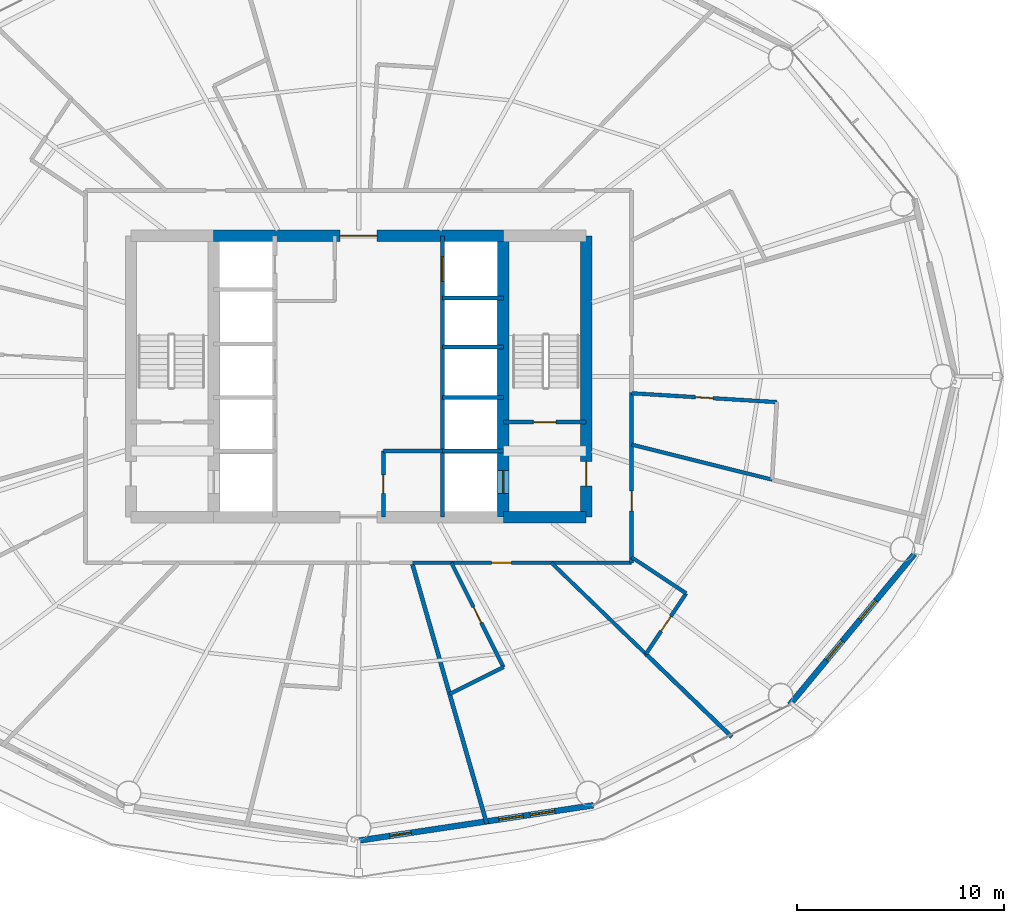
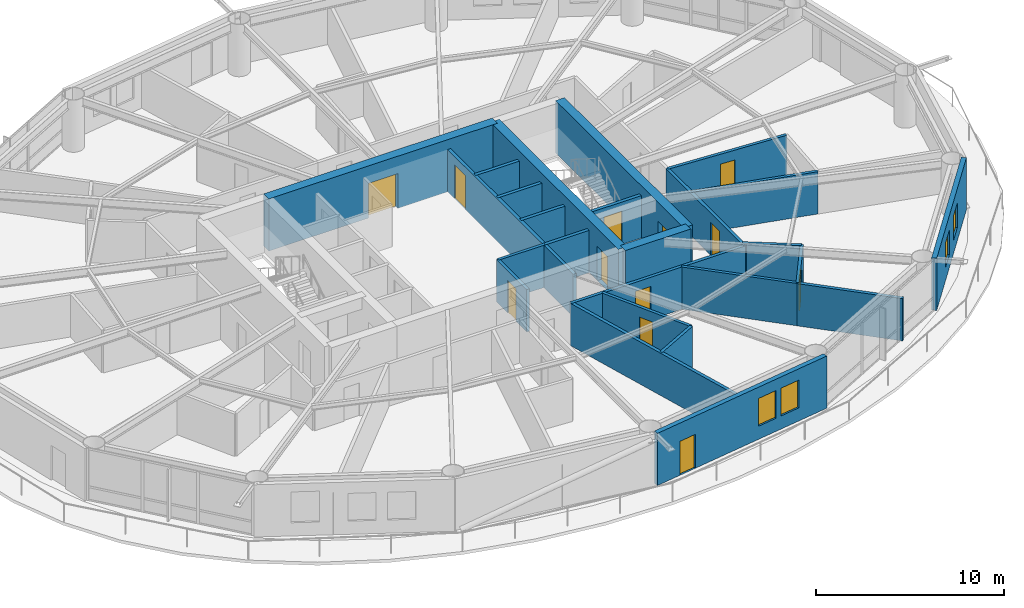
# One storey, part 19 of 24: 26 walls, 12 doors, 4 windows, 16 openings.
"""IFC4 building model written with IfcOpenShell, lengths in metres."""

from ifc_helpers import new_model, si_unit, direction, frame, frame_2d, origin, place, context, subcontext, project, spatial, rectangle, extrude, material, layer, layer_set, type_object, element, fill, save


model = new_model("IFC4")

# Units and contexts
model_context = context("Model", 3, precision=1e-05, world=origin(), true_north=direction((0.0, 1.0)))
body_context = subcontext(model_context, "Body", "Model", "MODEL_VIEW")
ifc_project = project(units=[si_unit("LENGTHUNIT", "METRE"), si_unit("AREAUNIT", "SQUARE_METRE"), si_unit("VOLUMEUNIT", "CUBIC_METRE"), si_unit("PLANEANGLEUNIT", "RADIAN"), si_unit("MASSUNIT", "GRAM", prefix="KILO")], contexts=[model_context])

# Site, building, storey
site_placement = place(None, origin())
site = spatial("IfcSite", under=ifc_project, at=site_placement, CompositionType="ELEMENT")
building_placement = place(site_placement, origin())
building = spatial("IfcBuilding", under=site, at=building_placement, Name="Sarneth Arch Tower", CompositionType="ELEMENT")
storey_placement = place(building_placement, frame((0.0, 0.0, 98.39990234375)))
storey = spatial("IfcBuildingStorey", under=building, at=storey_placement, Name="L24", CompositionType="ELEMENT", Elevation=98.39990234375)

# Wall
ifc_material_1 = material(Name="Concrete C60/75", Category="concrete")
ifc_layer_1 = layer(ifc_material_1, 0.550048828125)
ifc_layer_set_1 = layer_set([ifc_layer_1], Name="Concrete C60/75")
wall_type_1 = type_object("IfcWallType", Name="WALL-CORE-550", PredefinedType="SHEAR", material=ifc_layer_set_1)
wall_1_placement = place(storey_placement, frame((55.0, 35.199951171875, 0.0), z_axis=(0.0, 0.0, 1.0), x_axis=(1.0, 0.0, 0.0)))
element("IfcWall", 1, at=wall_1_placement, inside=storey, type_object=wall_type_1, Name="L24 Core shear wall S-E", PredefinedType="SHEAR", context=body_context, shape_type="SweptSolid", body=[
    extrude(rectangle(XDim=4.0, YDim=0.550048828125, at=frame_2d((2.0, 0.0))), origin(), (0.0, 0.0, 1.0), 3.380126953125),
])

# Wall, opening, door
wall_2_placement = place(storey_placement, frame((41.0, 48.800048828125, 0.0), z_axis=(0.0, 0.0, 1.0), x_axis=(1.0, 0.0, 0.0)))
wall_2 = element("IfcWall", 2, at=wall_2_placement, inside=storey, type_object=wall_type_1, Name="L24 Core shear wall N-M", PredefinedType="SHEAR", context=body_context, shape_type="SweptSolid", body=[
    extrude(rectangle(XDim=14.0, YDim=0.550048828125, at=frame_2d((7.0, 0.0))), origin(), (0.0, 0.0, 1.0), 3.380126953125),
])
opening_1_placement = place(wall_2_placement, frame((6.10009765625, 0.0, 0.0)))
opening_1 = element("IfcOpeningElement", 3, at=opening_1_placement, cuts=wall_2, Name="Opening FD-01", PredefinedType="OPENING", context=body_context, shape_type="SweptSolid", body=[
    extrude(rectangle(XDim=1.800048828125, YDim=2.25, at=frame_2d((0.89990234375, 1.125))), frame((0.0, 0.284912109375, 0.0), z_axis=(0.0, -1.0, 0.0), x_axis=(1.0, 0.0, 0.0)), (0.0, 0.0, 1.0), 0.570068359375),
])
ifc_material_2 = material(Name="Galvanised Steel S275 fire door set", Category="steel")
door_type_1 = type_object("IfcDoorType", Name="DR-FD90-1800", OperationType="DOUBLE_DOOR_SINGLE_SWING", PredefinedType="DOOR", material=ifc_material_2)
door_1_placement = place(opening_1_placement, origin())
door_1 = element("IfcDoor", 4, at=door_1_placement, inside=storey, type_object=door_type_1, Name="L24 Central lift lobby north door", OperationType="DOUBLE_DOOR_SINGLE_SWING", OverallHeight=2.25, OverallWidth=1.800048828125, PredefinedType="DOOR", context=body_context, shape_type="SweptSolid", body=[
    extrude(rectangle(XDim=1.800048828125, YDim=2.25, at=frame_2d((0.89990234375, 1.125))), frame((0.0, 0.02490234375, 0.0), z_axis=(0.0, -1.0, 0.0), x_axis=(1.0, 0.0, 0.0)), (0.0, 0.0, 1.0), 0.050048828125),
])
fill(opening_1, door_1)

wall_3_placement = place(storey_placement, frame((59.0, 35.199951171875, 0.0), z_axis=(0.0, 0.0, 1.0), x_axis=(0.0, 1.0, 0.0)))
wall_3 = element("IfcWall", 5, at=wall_3_placement, inside=storey, type_object=wall_type_1, Name="L24 Core shear wall E", PredefinedType="SHEAR", context=body_context, shape_type="SweptSolid", body=[
    extrude(rectangle(XDim=13.60009765625, YDim=0.550048828125, at=frame_2d((6.800048828125, 0.0))), origin(), (0.0, 0.0, 1.0), 3.380126953125),
])
opening_2_placement = place(wall_3_placement, frame((1.5, 0.0, 0.0)))
opening_2 = element("IfcOpeningElement", 6, at=opening_2_placement, cuts=wall_3, Name="Opening FD-02", PredefinedType="OPENING", context=body_context, shape_type="SweptSolid", body=[
    extrude(rectangle(XDim=1.199951171875, YDim=2.14990234375, at=frame_2d((0.60009765625, 1.074951171875))), frame((0.0, 0.284912109375, 0.0), z_axis=(0.0, -1.0, 0.0), x_axis=(1.0, 0.0, 0.0)), (0.0, 0.0, 1.0), 0.570068359375),
])
ifc_material_3 = material(Name="Galvanised Steel S275 fire door set", Category="steel")
door_type_2 = type_object("IfcDoorType", Name="DR-FD90-1200", OperationType="SINGLE_SWING_LEFT", PredefinedType="DOOR", material=ifc_material_3)
door_2_placement = place(opening_2_placement, origin())
door_2 = element("IfcDoor", 7, at=door_2_placement, inside=storey, type_object=door_type_2, Name="L24 Firefighting lobby 2 exit door", OperationType="SINGLE_SWING_RIGHT", OverallHeight=2.14990234375, OverallWidth=1.199951171875, PredefinedType="DOOR", context=body_context, shape_type="SweptSolid", body=[
    extrude(rectangle(XDim=1.199951171875, YDim=2.14990234375, at=frame_2d((0.60009765625, 1.074951171875))), frame((0.0, 0.02490234375, 0.0), z_axis=(0.0, -1.0, 0.0), x_axis=(1.0, 0.0, 0.0)), (0.0, 0.0, 1.0), 0.050048828125),
])
fill(opening_2, door_2)

wall_4_placement = place(storey_placement, frame((55.0, 35.199951171875, 0.0), z_axis=(0.0, 0.0, 1.0), x_axis=(0.0, 1.0, 0.0)))
wall_4 = element("IfcWall", 8, at=wall_4_placement, inside=storey, type_object=wall_type_1, Name="L24 Core shear wall WEB-E", PredefinedType="SHEAR", context=body_context, shape_type="SweptSolid", body=[
    extrude(rectangle(XDim=13.60009765625, YDim=0.550048828125, at=frame_2d((6.800048828125, 0.0))), origin(), (0.0, 0.0, 1.0), 3.380126953125),
])
opening_3_placement = place(wall_4_placement, frame((1.14990234375, 0.0, 0.0)))
opening_3 = element("IfcOpeningElement", 9, at=opening_3_placement, cuts=wall_4, Name="Opening LD-1", PredefinedType="OPENING", context=body_context, shape_type="SweptSolid", body=[
    extrude(rectangle(XDim=1.10009765625, YDim=2.199951171875, at=frame_2d((0.550048828125, 1.10009765625))), frame((0.0, 0.284912109375, 0.0), z_axis=(0.0, -1.0, 0.0), x_axis=(1.0, 0.0, 0.0)), (0.0, 0.0, 1.0), 0.570068359375),
])
ifc_material_4 = material(Name="Brushed Stainless Steel 304 lift landing door", Category="steel")
door_type_3 = type_object("IfcDoorType", Name="DR-LIFT-SLIDE-1100", OperationType="SLIDING_TO_LEFT", PredefinedType="DOOR", material=ifc_material_4)
door_3_placement = place(opening_3_placement, origin())
door_3 = element("IfcDoor", 10, at=door_3_placement, inside=storey, type_object=door_type_3, Name="L24 Firefighting lift landing door FL-2", OperationType="SLIDING_TO_RIGHT", OverallHeight=2.199951171875, OverallWidth=1.10009765625, PredefinedType="DOOR", context=body_context, shape_type="SweptSolid", body=[
    extrude(rectangle(XDim=1.10009765625, YDim=2.199951171875, at=frame_2d((0.550048828125, 1.10009765625))), frame((0.0, 0.02490234375, 0.0), z_axis=(0.0, -1.0, 0.0), x_axis=(1.0, 0.0, 0.0)), (0.0, 0.0, 1.0), 0.050048828125),
])
fill(opening_3, door_3)

ifc_material_5 = material(Name="Double steel-stud corridor fire wall", Category="steel")
ifc_layer_2 = layer(ifc_material_5, 0.18994140625)
ifc_layer_set_2 = layer_set([ifc_layer_2], Name="Double steel-stud corridor fire wall")
wall_type_2 = type_object("IfcWallType", Name="WALL-CORR-190", PredefinedType="PARTITIONING", material=ifc_layer_set_2)
wall_5_placement = place(storey_placement, frame((61.199951171875, 41.224853515625, 0.0), z_axis=(0.0, 0.0, 1.0), x_axis=(0.0, -1.0, 0.0)))
wall_5 = element("IfcWall", 11, at=wall_5_placement, inside=storey, type_object=wall_type_2, Name="L24 Interior partition W-L24-TP-022", PredefinedType="PARTITIONING", context=body_context, shape_type="SweptSolid", body=[
    extrude(rectangle(XDim=8.224853515625, YDim=0.18994140625, at=frame_2d((4.1123046875, 0.0))), origin(), (0.0, 0.0, 1.0), 2.739990234375),
])
opening_4_placement = place(wall_5_placement, frame((4.7666015625, 0.0, 0.0)))
opening_4 = element("IfcOpeningElement", 12, at=opening_4_placement, cuts=wall_5, Name="Opening FD-09", PredefinedType="OPENING", context=body_context, shape_type="SweptSolid", body=[
    extrude(rectangle(XDim=0.949951171875, YDim=2.14990234375, at=frame_2d((0.47509765625, 1.074951171875))), frame((0.0, 0.10498046875, 0.0), z_axis=(0.0, -1.0, 0.0), x_axis=(1.0, 0.0, 0.0)), (0.0, 0.0, 1.0), 0.2099609375),
])
ifc_material_6 = material(Name="Hardwood timber hotel entrance fire door", Category="wood")
door_type_4 = type_object("IfcDoorType", Name="DR-FD60-950", OperationType="SINGLE_SWING_RIGHT", PredefinedType="DOOR", material=ifc_material_6)
door_4_placement = place(opening_4_placement, origin())
door_4 = element("IfcDoor", 13, at=door_4_placement, inside=storey, type_object=door_type_4, Name="L24 Interior door DR-L24-KEY-11", OperationType="SINGLE_SWING_RIGHT", OverallHeight=2.14990234375, OverallWidth=0.949951171875, PredefinedType="DOOR", context=body_context, shape_type="SweptSolid", body=[
    extrude(rectangle(XDim=0.949951171875, YDim=2.14990234375, at=frame_2d((0.47509765625, 1.074951171875))), frame((0.0, 0.02490234375, 0.0), z_axis=(0.0, -1.0, 0.0), x_axis=(1.0, 0.0, 0.0)), (0.0, 0.0, 1.0), 0.050048828125),
])
fill(opening_4, door_4)

wall_6_placement = place(storey_placement, frame((61.199951171875, 33.0, 0.0), z_axis=(0.0, 0.0, 1.0), x_axis=(-1.0, 0.0, 0.0)))
wall_6 = element("IfcWall", 14, at=wall_6_placement, inside=storey, type_object=wall_type_2, Name="L24 Interior partition W-L24-TP-020", PredefinedType="PARTITIONING", context=body_context, shape_type="SweptSolid", body=[
    extrude(rectangle(XDim=10.652587890625, YDim=0.18994140625, at=frame_2d((5.326171875, 0.0))), origin(), (0.0, 0.0, 1.0), 2.739990234375),
])
opening_5_placement = place(wall_6_placement, frame((5.81640625, 0.0, 0.0)))
opening_5 = element("IfcOpeningElement", 15, at=opening_5_placement, cuts=wall_6, Name="Opening FD-09", PredefinedType="OPENING", context=body_context, shape_type="SweptSolid", body=[
    extrude(rectangle(XDim=0.949951171875, YDim=2.14990234375, at=frame_2d((0.47509765625, 1.074951171875))), frame((0.0, 0.10498046875, 0.0), z_axis=(0.0, -1.0, 0.0), x_axis=(1.0, 0.0, 0.0)), (0.0, 0.0, 1.0), 0.2099609375),
])
door_5_placement = place(opening_5_placement, origin())
door_5 = element("IfcDoor", 16, at=door_5_placement, inside=storey, type_object=door_type_4, Name="L24 Interior door DR-L24-KEY-10", OperationType="SINGLE_SWING_RIGHT", OverallHeight=2.14990234375, OverallWidth=0.949951171875, PredefinedType="DOOR", context=body_context, shape_type="SweptSolid", body=[
    extrude(rectangle(XDim=0.949951171875, YDim=2.14990234375, at=frame_2d((0.47509765625, 1.074951171875))), frame((0.0, 0.02490234375, 0.0), z_axis=(0.0, -1.0, 0.0), x_axis=(1.0, 0.0, 0.0)), (0.0, 0.0, 1.0), 0.050048828125),
])
fill(opening_5, door_5)

# Wall, openings, door, windows
ifc_material_7 = material(Name="Extruded terracotta rainscreen on Concrete C40/50 backing", Category="masonry")
ifc_layer_3 = layer(ifc_material_7, 0.280029296875)
ifc_layer_set_3 = layer_set([ifc_layer_3], Name="Extruded terracotta rainscreen on Concrete C40/50 backing")
wall_type_3 = type_object("IfcWallType", Name="WALL-EXT-TERRA-280", PredefinedType="SOLIDWALL", material=ifc_layer_set_3)
wall_7_placement = place(storey_placement, frame((48.0, 19.570068359375, 0.0), z_axis=(0.0, 0.0, 1.0), x_axis=(0.988877774656, 0.148730450117, 0.0)))
wall_7 = element("IfcWall", 17, at=wall_7_placement, inside=storey, type_object=wall_type_3, Name="L24 Terracotta perimeter wall 13", PredefinedType="SOLIDWALL", context=body_context, shape_type="SweptSolid", body=[
    extrude(rectangle(XDim=11.47900390625, YDim=0.280029296875, at=frame_2d((5.739501953125, 0.0))), origin(), (0.0, 0.0, 1.0), 3.380126953125),
])
opening_6_placement = place(wall_7_placement, frame((1.523681640625, 0.0, 0.0)))
opening_6 = element("IfcOpeningElement", 18, at=opening_6_placement, cuts=wall_7, Name="Opening BD-4", PredefinedType="OPENING", context=body_context, shape_type="SweptSolid", body=[
    extrude(rectangle(XDim=1.050048828125, YDim=2.199951171875, at=frame_2d((0.52490234375, 1.10009765625))), frame((0.0, 0.14990234375, 0.0), z_axis=(0.0, -1.0, 0.0), x_axis=(1.0, 0.0, 0.0)), (0.0, 0.0, 1.0), 0.300048828125),
])
opening_7_placement = place(wall_7_placement, frame((6.843017578125, 0.0, 0.85009765625)))
opening_7 = element("IfcOpeningElement", 19, at=opening_7_placement, cuts=wall_7, Name="Opening W-09", PredefinedType="OPENING", context=body_context, shape_type="SweptSolid", body=[
    extrude(rectangle(XDim=1.199951171875, YDim=1.800048828125, at=frame_2d((0.60009765625, 0.89990234375))), frame((0.0, 0.14990234375, 0.0), z_axis=(0.0, -1.0, 0.0), x_axis=(1.0, 0.0, 0.0)), (0.0, 0.0, 1.0), 0.300048828125),
])
opening_8_placement = place(wall_7_placement, frame((8.385009765625, 0.0, 0.85009765625)))
opening_8 = element("IfcOpeningElement", 20, at=opening_8_placement, cuts=wall_7, Name="Opening W-09", PredefinedType="OPENING", context=body_context, shape_type="SweptSolid", body=[
    extrude(rectangle(XDim=1.199951171875, YDim=1.800048828125, at=frame_2d((0.60009765625, 0.89990234375))), frame((0.0, 0.14990234375, 0.0), z_axis=(0.0, -1.0, 0.0), x_axis=(1.0, 0.0, 0.0)), (0.0, 0.0, 1.0), 0.300048828125),
])
ifc_material_8 = material(Name="Thermally broken Aluminium 6063-T6 and laminated safety glass", Category="aluminium")
door_type_5 = type_object("IfcDoorType", Name="DR-BALC-GLZ-1050", OperationType="SINGLE_SWING_RIGHT", PredefinedType="DOOR", material=ifc_material_8)
door_6_placement = place(opening_6_placement, origin())
door_6 = element("IfcDoor", 21, at=door_6_placement, inside=storey, type_object=door_type_5, Name="L24 Balcony glazed door 13", OperationType="SINGLE_SWING_RIGHT", OverallHeight=2.199951171875, OverallWidth=1.050048828125, PredefinedType="DOOR", context=body_context, shape_type="SweptSolid", body=[
    extrude(rectangle(XDim=1.050048828125, YDim=2.199951171875, at=frame_2d((0.52490234375, 1.10009765625))), frame((0.0, 0.02490234375, 0.0), z_axis=(0.0, -1.0, 0.0), x_axis=(1.0, 0.0, 0.0)), (0.0, 0.0, 1.0), 0.050048828125),
])
fill(opening_6, door_6)
ifc_material_9 = material(Name="Thermally broken Aluminium 6063-T6 and low-e laminated IGU", Category="aluminium")
window_type_1 = type_object("IfcWindowType", Name="WIN-TWR-1200x1800", PartitioningType="SINGLE_PANEL", PredefinedType="WINDOW", material=ifc_material_9)
window_1_placement = place(opening_7_placement, origin())
window_1 = element("IfcWindow", 22, at=window_1_placement, inside=storey, type_object=window_type_1, Name="L24 Exterior window 13A", OverallHeight=1.800048828125, OverallWidth=1.199951171875, PartitioningType="SINGLE_PANEL", PredefinedType="WINDOW", context=body_context, shape_type="SweptSolid", body=[
    extrude(rectangle(XDim=1.199951171875, YDim=1.800048828125, at=frame_2d((0.60009765625, 0.89990234375))), frame((0.0, 0.030029296875, 0.0), z_axis=(0.0, -1.0, 0.0), x_axis=(1.0, 0.0, 0.0)), (0.0, 0.0, 1.0), 0.06005859375),
])
fill(opening_7, window_1)
window_2_placement = place(opening_8_placement, origin())
window_2 = element("IfcWindow", 23, at=window_2_placement, inside=storey, type_object=window_type_1, Name="L24 Exterior window 13B", OverallHeight=1.800048828125, OverallWidth=1.199951171875, PartitioningType="SINGLE_PANEL", PredefinedType="WINDOW", context=body_context, shape_type="SweptSolid", body=[
    extrude(rectangle(XDim=1.199951171875, YDim=1.800048828125, at=frame_2d((0.60009765625, 0.89990234375))), frame((0.0, 0.030029296875, 0.0), z_axis=(0.0, -1.0, 0.0), x_axis=(1.0, 0.0, 0.0)), (0.0, 0.0, 1.0), 0.06005859375),
])
fill(opening_8, window_2)

# Wall, openings, windows
wall_8_placement = place(storey_placement, frame((68.840087890625, 26.1396484375, 0.0), z_axis=(0.0, 0.0, 1.0), x_axis=(0.637505817448, 0.770445541696, 0.0)))
wall_8 = element("IfcWall", 24, at=wall_8_placement, inside=storey, type_object=wall_type_3, Name="L24 Terracotta perimeter wall 15", PredefinedType="SOLIDWALL", context=body_context, shape_type="SweptSolid", body=[
    extrude(rectangle(XDim=9.445068359375, YDim=0.280029296875, at=frame_2d((4.72265625, 0.0))), origin(), (0.0, 0.0, 1.0), 3.380126953125),
])
opening_9_placement = place(wall_8_placement, frame((2.796630859375, 0.0, 0.85009765625)))
opening_9 = element("IfcOpeningElement", 25, at=opening_9_placement, cuts=wall_8, Name="Opening W-10", PredefinedType="OPENING", context=body_context, shape_type="SweptSolid", body=[
    extrude(rectangle(XDim=1.199951171875, YDim=1.60009765625, at=frame_2d((0.60009765625, 0.800048828125))), frame((0.0, 0.14990234375, 0.0), z_axis=(0.0, -1.0, 0.0), x_axis=(1.0, 0.0, 0.0)), (0.0, 0.0, 1.0), 0.300048828125),
])
opening_10_placement = place(wall_8_placement, frame((5.331787109375, 0.0, 0.85009765625)))
opening_10 = element("IfcOpeningElement", 26, at=opening_10_placement, cuts=wall_8, Name="Opening W-10", PredefinedType="OPENING", context=body_context, shape_type="SweptSolid", body=[
    extrude(rectangle(XDim=1.199951171875, YDim=1.60009765625, at=frame_2d((0.60009765625, 0.800048828125))), frame((0.0, 0.14990234375, 0.0), z_axis=(0.0, -1.0, 0.0), x_axis=(1.0, 0.0, 0.0)), (0.0, 0.0, 1.0), 0.300048828125),
])
ifc_material_10 = material(Name="Thermally broken Aluminium 6063-T6 and low-e laminated IGU", Category="aluminium")
window_type_2 = type_object("IfcWindowType", Name="WIN-TWR-1200x1600", PartitioningType="SINGLE_PANEL", PredefinedType="WINDOW", material=ifc_material_10)
window_3_placement = place(opening_9_placement, origin())
window_3 = element("IfcWindow", 27, at=window_3_placement, inside=storey, type_object=window_type_2, Name="L24 Exterior window 15A", OverallHeight=1.60009765625, OverallWidth=1.199951171875, PartitioningType="SINGLE_PANEL", PredefinedType="WINDOW", context=body_context, shape_type="SweptSolid", body=[
    extrude(rectangle(XDim=1.199951171875, YDim=1.60009765625, at=frame_2d((0.60009765625, 0.800048828125))), frame((0.0, 0.030029296875, 0.0), z_axis=(0.0, -1.0, 0.0), x_axis=(1.0, 0.0, 0.0)), (0.0, 0.0, 1.0), 0.06005859375),
])
fill(opening_9, window_3)
window_4_placement = place(opening_10_placement, origin())
window_4 = element("IfcWindow", 28, at=window_4_placement, inside=storey, type_object=window_type_2, Name="L24 Exterior window 15B", OverallHeight=1.60009765625, OverallWidth=1.199951171875, PartitioningType="SINGLE_PANEL", PredefinedType="WINDOW", context=body_context, shape_type="SweptSolid", body=[
    extrude(rectangle(XDim=1.199951171875, YDim=1.60009765625, at=frame_2d((0.60009765625, 0.800048828125))), frame((0.0, 0.030029296875, 0.0), z_axis=(0.0, -1.0, 0.0), x_axis=(1.0, 0.0, 0.0)), (0.0, 0.0, 1.0), 0.06005859375),
])
fill(opening_10, window_4)

# Wall
ifc_material_11 = material(Name="Moisture-resistant plumbing chase wall", Category="gypsum")
ifc_layer_4 = layer(ifc_material_11, 0.179931640625)
ifc_layer_set_4 = layer_set([ifc_layer_4], Name="Moisture-resistant plumbing chase wall")
wall_type_4 = type_object("IfcWallType", Name="WALL-PLUMB-180", PredefinedType="PLUMBINGWALL", material=ifc_layer_set_4)
wall_9_placement = place(storey_placement, frame((49.199951171875, 38.39990234375, 0.0), z_axis=(0.0, 0.0, 1.0), x_axis=(1.0, 0.0, 0.0)))
element("IfcWall", 29, at=wall_9_placement, inside=storey, type_object=wall_type_4, Name="L24 Interior partition W-L24-AWC-N", PredefinedType="PLUMBINGWALL", context=body_context, shape_type="SweptSolid", body=[
    extrude(rectangle(XDim=2.85009765625, YDim=0.179931640625, at=frame_2d((1.425048828125, 0.0))), origin(), (0.0, 0.0, 1.0), 2.739990234375),
])

# Wall, opening, door
wall_10_placement = place(storey_placement, frame((49.199951171875, 35.199951171875, 0.0), z_axis=(0.0, 0.0, 1.0), x_axis=(0.0, 1.0, 0.0)))
wall_10 = element("IfcWall", 30, at=wall_10_placement, inside=storey, type_object=wall_type_4, Name="L24 Interior partition W-L24-AWC-W", PredefinedType="PLUMBINGWALL", context=body_context, shape_type="SweptSolid", body=[
    extrude(rectangle(XDim=3.199951171875, YDim=0.179931640625, at=frame_2d((1.60009765625, 0.0))), origin(), (0.0, 0.0, 1.0), 2.739990234375),
])
opening_11_placement = place(wall_10_placement, frame((1.14990234375, 0.0, 0.0)))
opening_11 = element("IfcOpeningElement", 31, at=opening_11_placement, cuts=wall_10, Name="Opening ID-01", PredefinedType="OPENING", context=body_context, shape_type="SweptSolid", body=[
    extrude(rectangle(XDim=0.89990234375, YDim=2.10009765625, at=frame_2d((0.449951171875, 1.050048828125))), frame((0.0, 0.099853515625, 0.0), z_axis=(0.0, -1.0, 0.0), x_axis=(1.0, 0.0, 0.0)), (0.0, 0.0, 1.0), 0.199951171875),
])
ifc_material_12 = material(Name="Engineered hardwood flush door", Category="wood")
door_type_6 = type_object("IfcDoorType", Name="DR-INT-900", OperationType="SINGLE_SWING_LEFT", PredefinedType="DOOR", material=ifc_material_12)
door_7_placement = place(opening_11_placement, origin())
door_7 = element("IfcDoor", 32, at=door_7_placement, inside=storey, type_object=door_type_6, Name="L24 Interior door DR-L24-AWC", OperationType="SINGLE_SWING_RIGHT", OverallHeight=2.10009765625, OverallWidth=0.89990234375, PredefinedType="DOOR", context=body_context, shape_type="SweptSolid", body=[
    extrude(rectangle(XDim=0.89990234375, YDim=2.10009765625, at=frame_2d((0.449951171875, 1.050048828125))), frame((0.0, 0.02490234375, 0.0), z_axis=(0.0, -1.0, 0.0), x_axis=(1.0, 0.0, 0.0)), (0.0, 0.0, 1.0), 0.050048828125),
])
fill(opening_11, door_7)

wall_11_placement = place(storey_placement, frame((61.199951171875, 41.192626953125, 0.0), z_axis=(0.0, 0.0, 1.0), x_axis=(0.998134708281, -0.061050013314, 0.0)))
wall_11 = element("IfcWall", 33, at=wall_11_placement, inside=storey, type_object=wall_type_4, Name="L24 Interior partition W-L24-TP-067", PredefinedType="PLUMBINGWALL", context=body_context, shape_type="SweptSolid", body=[
    extrude(rectangle(XDim=7.0263671875, YDim=0.179931640625, at=frame_2d((3.51318359375, 0.0))), origin(), (0.0, 0.0, 1.0), 2.739990234375),
])
opening_12_placement = place(wall_11_placement, frame((3.088134765625, 0.0, 0.0)))
opening_12 = element("IfcOpeningElement", 34, at=opening_12_placement, cuts=wall_11, Name="Opening ID-02", PredefinedType="OPENING", context=body_context, shape_type="SweptSolid", body=[
    extrude(rectangle(XDim=0.85009765625, YDim=2.10009765625, at=frame_2d((0.425048828125, 1.050048828125))), frame((0.0, 0.099853515625, 0.0), z_axis=(0.0, -1.0, 0.0), x_axis=(1.0, 0.0, 0.0)), (0.0, 0.0, 1.0), 0.199951171875),
])
ifc_material_13 = material(Name="Moisture-resistant bathroom timber door", Category="wood")
door_type_7 = type_object("IfcDoorType", Name="DR-INT-850", OperationType="SINGLE_SWING_RIGHT", PredefinedType="DOOR", material=ifc_material_13)
door_8_placement = place(opening_12_placement, origin())
door_8 = element("IfcDoor", 35, at=door_8_placement, inside=storey, type_object=door_type_7, Name="L24 Interior door DR-L24-ENS-12", OperationType="SINGLE_SWING_LEFT", OverallHeight=2.10009765625, OverallWidth=0.85009765625, PredefinedType="DOOR", context=body_context, shape_type="SweptSolid", body=[
    extrude(rectangle(XDim=0.85009765625, YDim=2.10009765625, at=frame_2d((0.425048828125, 1.050048828125))), frame((0.0, 0.02490234375, 0.0), z_axis=(0.0, -1.0, 0.0), x_axis=(1.0, 0.0, 0.0)), (0.0, 0.0, 1.0), 0.050048828125),
])
fill(opening_12, door_8)

# Walls
wall_12_placement = place(storey_placement, frame((67.984130859375, 37.017333984375, 0.0), z_axis=(0.0, 0.0, 1.0), x_axis=(-0.970290206094, 0.241944034764, 0.0)))
element("IfcWall", 36, at=wall_12_placement, inside=storey, type_object=wall_type_4, Name="L24 Interior partition W-L24-TP-066", PredefinedType="PLUMBINGWALL", context=body_context, shape_type="SweptSolid", body=[
    extrude(rectangle(XDim=6.991943359375, YDim=0.179931640625, at=frame_2d((3.49609375, 0.0))), origin(), (0.0, 0.0, 1.0), 2.739990234375),
])
wall_13_placement = place(storey_placement, frame((61.888916015625, 28.58740234375, 0.0), z_axis=(0.0, 0.0, 1.0), x_axis=(-0.719318009274, 0.694680935059, 0.0)))
element("IfcWall", 37, at=wall_13_placement, inside=storey, type_object=wall_type_4, Name="L24 Interior partition W-L24-TP-062", PredefinedType="PLUMBINGWALL", context=body_context, shape_type="SweptSolid", body=[
    extrude(rectangle(XDim=6.35205078125, YDim=0.179931640625, at=frame_2d((3.176025390625, 0.0))), origin(), (0.0, 0.0, 1.0), 2.739990234375),
])

# Wall, opening, door
wall_14_placement = place(storey_placement, frame((55.00341796875, 27.953125, 0.0), z_axis=(0.0, 0.0, 1.0), x_axis=(-0.446174269641, 0.894946099556, 0.0)))
wall_14 = element("IfcWall", 38, at=wall_14_placement, inside=storey, type_object=wall_type_4, Name="L24 Interior partition W-L24-TP-060", PredefinedType="PLUMBINGWALL", context=body_context, shape_type="SweptSolid", body=[
    extrude(rectangle(XDim=5.639404296875, YDim=0.179931640625, at=frame_2d((2.81982421875, 0.0))), origin(), (0.0, 0.0, 1.0), 2.739990234375),
])
opening_13_placement = place(wall_14_placement, frame((2.394775390625, 0.0, 0.0)))
opening_13 = element("IfcOpeningElement", 39, at=opening_13_placement, cuts=wall_14, Name="Opening ID-02", PredefinedType="OPENING", context=body_context, shape_type="SweptSolid", body=[
    extrude(rectangle(XDim=0.85009765625, YDim=2.10009765625, at=frame_2d((0.425048828125, 1.050048828125))), frame((0.0, 0.099853515625, 0.0), z_axis=(0.0, -1.0, 0.0), x_axis=(1.0, 0.0, 0.0)), (0.0, 0.0, 1.0), 0.199951171875),
])
door_9_placement = place(opening_13_placement, origin())
door_9 = element("IfcDoor", 40, at=door_9_placement, inside=storey, type_object=door_type_7, Name="L24 Interior door DR-L24-ENS-10", OperationType="SINGLE_SWING_LEFT", OverallHeight=2.10009765625, OverallWidth=0.85009765625, PredefinedType="DOOR", context=body_context, shape_type="SweptSolid", body=[
    extrude(rectangle(XDim=0.85009765625, YDim=2.10009765625, at=frame_2d((0.425048828125, 1.050048828125))), frame((0.0, 0.02490234375, 0.0), z_axis=(0.0, -1.0, 0.0), x_axis=(1.0, 0.0, 0.0)), (0.0, 0.0, 1.0), 0.050048828125),
])
fill(opening_13, door_9)

wall_15_placement = place(storey_placement, frame((63.8310546875, 31.521484375, 0.0), z_axis=(0.0, 0.0, 1.0), x_axis=(-0.551959146688, -0.833871153349, 0.0)))
wall_15 = element("IfcWall", 41, at=wall_15_placement, inside=storey, type_object=wall_type_4, Name="L24 Interior partition W-L24-TP-064", PredefinedType="PLUMBINGWALL", context=body_context, shape_type="SweptSolid", body=[
    extrude(rectangle(XDim=3.5185546875, YDim=0.179931640625, at=frame_2d((1.75927734375, 0.0))), origin(), (0.0, 0.0, 1.0), 2.739990234375),
])
opening_14_placement = place(wall_15_placement, frame((1.334228515625, 0.0, 0.0)))
opening_14 = element("IfcOpeningElement", 42, at=opening_14_placement, cuts=wall_15, Name="Opening ID-02", PredefinedType="OPENING", context=body_context, shape_type="SweptSolid", body=[
    extrude(rectangle(XDim=0.85009765625, YDim=2.10009765625, at=frame_2d((0.425048828125, 1.050048828125))), frame((0.0, 0.099853515625, 0.0), z_axis=(0.0, -1.0, 0.0), x_axis=(1.0, 0.0, 0.0)), (0.0, 0.0, 1.0), 0.199951171875),
])
door_10_placement = place(opening_14_placement, origin())
door_10 = element("IfcDoor", 43, at=door_10_placement, inside=storey, type_object=door_type_7, Name="L24 Interior door DR-L24-ENS-11", OperationType="SINGLE_SWING_LEFT", OverallHeight=2.10009765625, OverallWidth=0.85009765625, PredefinedType="DOOR", context=body_context, shape_type="SweptSolid", body=[
    extrude(rectangle(XDim=0.85009765625, YDim=2.10009765625, at=frame_2d((0.425048828125, 1.050048828125))), frame((0.0, 0.02490234375, 0.0), z_axis=(0.0, -1.0, 0.0), x_axis=(1.0, 0.0, 0.0)), (0.0, 0.0, 1.0), 0.050048828125),
])
fill(opening_14, door_10)

# Walls
wall_16_placement = place(storey_placement, frame((61.199951171875, 33.26318359375, 0.0), z_axis=(0.0, 0.0, 1.0), x_axis=(0.833855219674, -0.5519832177, 0.0)))
element("IfcWall", 44, at=wall_16_placement, inside=storey, type_object=wall_type_4, Name="L24 Interior partition W-L24-TP-063", PredefinedType="PLUMBINGWALL", context=body_context, shape_type="SweptSolid", body=[
    extrude(rectangle(XDim=3.1552734375, YDim=0.179931640625, at=frame_2d((1.57763671875, 0.0))), origin(), (0.0, 0.0, 1.0), 2.739990234375),
])
wall_17_placement = place(storey_placement, frame((52.400146484375, 26.655029296875, 0.0), z_axis=(0.0, 0.0, 1.0), x_axis=(0.894913437672, 0.446239777558, 0.0)))
element("IfcWall", 45, at=wall_17_placement, inside=storey, type_object=wall_type_4, Name="L24 Interior partition W-L24-TP-059", PredefinedType="PLUMBINGWALL", context=body_context, shape_type="SweptSolid", body=[
    extrude(rectangle(XDim=2.908935546875, YDim=0.179931640625, at=frame_2d((1.45458984375, 0.0))), origin(), (0.0, 0.0, 1.0), 2.739990234375),
])

# Wall, opening, door
ifc_material_14 = material(Name="Aerated concrete blockwork C25/30", Category="masonry")
ifc_layer_5 = layer(ifc_material_14, 0.199951171875)
ifc_layer_set_5 = layer_set([ifc_layer_5], Name="Aerated concrete blockwork C25/30")
wall_type_5 = type_object("IfcWallType", Name="WALL-SHAFT-200", PredefinedType="SOLIDWALL", material=ifc_layer_set_5)
wall_18_placement = place(storey_placement, frame((55.0, 39.800048828125, 0.0), z_axis=(0.0, 0.0, 1.0), x_axis=(1.0, 0.0, 0.0)))
wall_18 = element("IfcWall", 46, at=wall_18_placement, inside=storey, type_object=wall_type_5, Name="L24 Interior partition W-L24-ST2-S", PredefinedType="SOLIDWALL", context=body_context, shape_type="SweptSolid", body=[
    extrude(rectangle(XDim=4.0, YDim=0.199951171875, at=frame_2d((2.0, 0.0))), origin(), (0.0, 0.0, 1.0), 2.739990234375),
])
opening_15_placement = place(wall_18_placement, frame((1.449951171875, 0.0, 0.0)))
opening_15 = element("IfcOpeningElement", 47, at=opening_15_placement, cuts=wall_18, Name="Opening FD-03", PredefinedType="OPENING", context=body_context, shape_type="SweptSolid", body=[
    extrude(rectangle(XDim=1.10009765625, YDim=2.14990234375, at=frame_2d((0.550048828125, 1.074951171875))), frame((0.0, 0.10986328125, 0.0), z_axis=(0.0, -1.0, 0.0), x_axis=(1.0, 0.0, 0.0)), (0.0, 0.0, 1.0), 0.219970703125),
])
ifc_material_15 = material(Name="Galvanised Steel S275 fire door set", Category="steel")
door_type_8 = type_object("IfcDoorType", Name="DR-FD90-1100", OperationType="SINGLE_SWING_LEFT", PredefinedType="DOOR", material=ifc_material_15)
door_11_placement = place(opening_15_placement, origin())
door_11 = element("IfcDoor", 48, at=door_11_placement, inside=storey, type_object=door_type_8, Name="L24 Interior door DR-L24-ST2", OperationType="SINGLE_SWING_RIGHT", OverallHeight=2.14990234375, OverallWidth=1.10009765625, PredefinedType="DOOR", context=body_context, shape_type="SweptSolid", body=[
    extrude(rectangle(XDim=1.10009765625, YDim=2.14990234375, at=frame_2d((0.550048828125, 1.074951171875))), frame((0.0, 0.02490234375, 0.0), z_axis=(0.0, -1.0, 0.0), x_axis=(1.0, 0.0, 0.0)), (0.0, 0.0, 1.0), 0.050048828125),
])
fill(opening_15, door_11)

# Walls
wall_19_placement = place(storey_placement, frame((52.050048828125, 35.199951171875, 0.0), z_axis=(0.0, 0.0, 1.0), x_axis=(0.0, 1.0, 0.0)))
element("IfcWall", 49, at=wall_19_placement, inside=storey, type_object=wall_type_5, Name="L24 Interior partition W-L24-FL2-W", PredefinedType="SOLIDWALL", context=body_context, shape_type="SweptSolid", body=[
    extrude(rectangle(XDim=3.199951171875, YDim=0.199951171875, at=frame_2d((1.60009765625, 0.0))), origin(), (0.0, 0.0, 1.0), 2.739990234375),
])
wall_20_placement = place(storey_placement, frame((52.050048828125, 38.39990234375, 0.0), z_axis=(0.0, 0.0, 1.0), x_axis=(1.0, 0.0, 0.0)))
element("IfcWall", 50, at=wall_20_placement, inside=storey, type_object=wall_type_5, Name="L24 Interior partition W-L24-FL2-N", PredefinedType="SOLIDWALL", context=body_context, shape_type="SweptSolid", body=[
    extrude(rectangle(XDim=2.949951171875, YDim=0.199951171875, at=frame_2d((1.47509765625, 0.0))), origin(), (0.0, 0.0, 1.0), 2.739990234375),
])

# Wall, opening, door
wall_21_placement = place(storey_placement, frame((52.050048828125, 38.39990234375, 0.0), z_axis=(0.0, 0.0, 1.0), x_axis=(0.0, 1.0, 0.0)))
wall_21 = element("IfcWall", 51, at=wall_21_placement, inside=storey, type_object=wall_type_5, Name="L24 Interior partition W-L24-EASTBANK-FRONT", PredefinedType="SOLIDWALL", context=body_context, shape_type="SweptSolid", body=[
    extrude(rectangle(XDim=10.400146484375, YDim=0.199951171875, at=frame_2d((5.2001953125, 0.0))), origin(), (0.0, 0.0, 1.0), 2.739990234375),
])
opening_16_placement = place(wall_21_placement, frame((8.199951171875, 0.0, 0.0)))
opening_16 = element("IfcOpeningElement", 52, at=opening_16_placement, cuts=wall_21, Name="Opening LD-2", PredefinedType="OPENING", context=body_context, shape_type="SweptSolid", body=[
    extrude(rectangle(XDim=1.199951171875, YDim=2.199951171875, at=frame_2d((0.60009765625, 1.10009765625))), frame((0.0, 0.10986328125, 0.0), z_axis=(0.0, -1.0, 0.0), x_axis=(1.0, 0.0, 0.0)), (0.0, 0.0, 1.0), 0.219970703125),
])
ifc_material_16 = material(Name="Brushed Stainless Steel 304 service lift door", Category="steel")
door_type_9 = type_object("IfcDoorType", Name="DR-LIFT-SLIDE-1200", OperationType="SLIDING_TO_RIGHT", PredefinedType="DOOR", material=ifc_material_16)
door_12_placement = place(opening_16_placement, origin())
door_12 = element("IfcDoor", 53, at=door_12_placement, inside=storey, type_object=door_type_9, Name="L24 Lift landing door DR-L24-LD-SL1", OperationType="SLIDING_TO_RIGHT", OverallHeight=2.199951171875, OverallWidth=1.199951171875, PredefinedType="DOOR", context=body_context, shape_type="SweptSolid", body=[
    extrude(rectangle(XDim=1.199951171875, YDim=2.199951171875, at=frame_2d((0.60009765625, 1.10009765625))), frame((0.0, 0.02490234375, 0.0), z_axis=(0.0, -1.0, 0.0), x_axis=(1.0, 0.0, 0.0)), (0.0, 0.0, 1.0), 0.050048828125),
])
fill(opening_16, door_12)

# Walls
for number, where, z_axis, x_axis, name in (
    (54, (52.050048828125, 40.97998046875, 0.0), (0.0, 0.0, 1.0), (1.0, 0.0, 0.0), "L24 Interior partition W-L24-EB-DIV-4098"),
    (55, (52.050048828125, 43.419921875, 0.0), (0.0, 0.0, 1.0), (1.0, 0.0, 0.0), "L24 Interior partition W-L24-EB-DIV-4342"),
    (56, (52.050048828125, 45.800048828125, 0.0), (0.0, 0.0, 1.0), (1.0, 0.0, 0.0), "L24 Interior partition W-L24-EB-DIV-4580"),
):
    element("IfcWall", number, at=place(storey_placement, frame(where, z_axis=z_axis, x_axis=x_axis)), inside=storey, type_object=wall_type_5, Name=name, PredefinedType="SOLIDWALL", context=body_context, shape_type="SweptSolid", body=[
        extrude(rectangle(XDim=2.949951171875, YDim=0.199951171875, at=frame_2d((1.47509765625, 0.0))), origin(), (0.0, 0.0, 1.0), 2.739990234375),
    ])
ifc_material_17 = material(Name="Double steel-stud acoustic drywall", Category="steel")
ifc_layer_6 = layer(ifc_material_17, 0.199951171875)
ifc_layer_set_6 = layer_set([ifc_layer_6], Name="Double steel-stud acoustic drywall")
wall_type_6 = type_object("IfcWallType", Name="WALL-UNIT-200", PredefinedType="PARTITIONING", material=ifc_layer_set_6)
wall_22_placement = place(storey_placement, frame((50.580810546875, 33.0, 0.0), z_axis=(0.0, 0.0, 1.0), x_axis=(0.275639731411, -0.961261014745, 0.0)))
element("IfcWall", 57, at=wall_22_placement, inside=storey, type_object=wall_type_6, Name="L24 Interior partition W-L24-TP-058", PredefinedType="PARTITIONING", context=body_context, shape_type="SweptSolid", body=[
    extrude(rectangle(XDim=13.12646484375, YDim=0.199951171875, at=frame_2d((6.563232421875, 0.0))), origin(), (0.0, 0.0, 1.0), 2.739990234375),
])
wall_23_placement = place(storey_placement, frame((66.041259765625, 24.577880859375, 0.0), z_axis=(0.0, 0.0, 1.0), x_axis=(-0.719370121813, 0.694626970281, 0.0)))
element("IfcWall", 58, at=wall_23_placement, inside=storey, type_object=wall_type_6, Name="L24 Interior partition W-L24-TP-061", PredefinedType="PARTITIONING", context=body_context, shape_type="SweptSolid", body=[
    extrude(rectangle(XDim=5.772216796875, YDim=0.199951171875, at=frame_2d((2.88623046875, 0.0))), origin(), (0.0, 0.0, 1.0), 2.739990234375),
])

save(model, "model.ifc")
